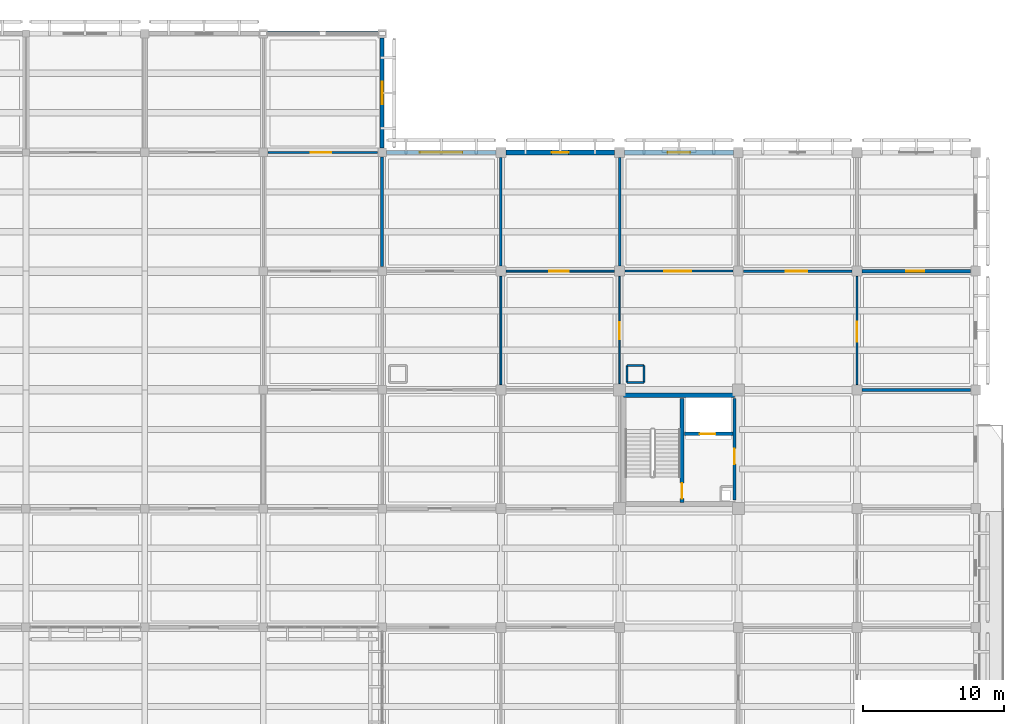
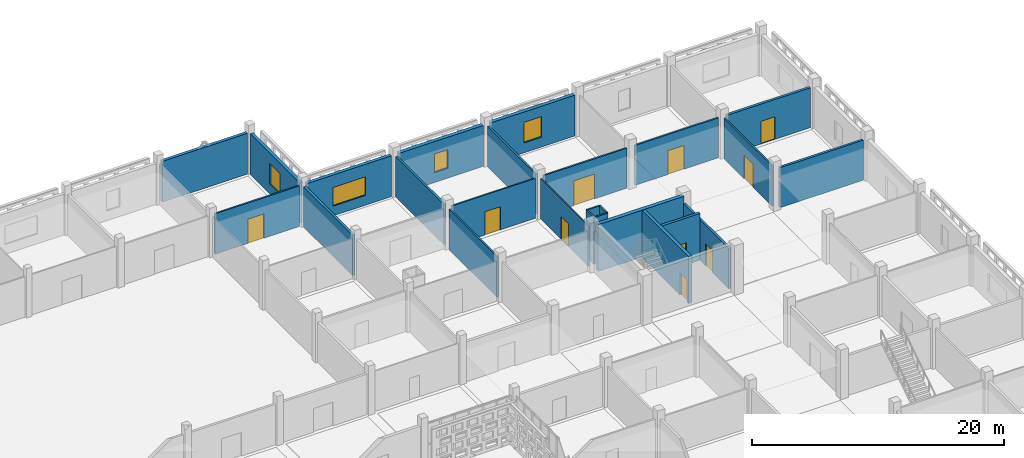
# One storey, part 73 of 129: 25 walls, 10 doors, 4 windows, 14 openings.
"""IFC4 building model written with IfcOpenShell, lengths in metres."""

from ifc_helpers import new_model, si_unit, direction, frame, frame_2d, origin, place, context, subcontext, project, spatial, rectangle, extrude, material, layer, layer_set, type_object, element, fill, save


model = new_model("IFC4")

# Units and contexts
model_context = context("Model", 3, precision=1e-05, world=origin(), true_north=direction((0.0, 1.0)))
body_context = subcontext(model_context, "Body", "Model", "MODEL_VIEW")
ifc_project = project(units=[si_unit("LENGTHUNIT", "METRE"), si_unit("AREAUNIT", "SQUARE_METRE"), si_unit("VOLUMEUNIT", "CUBIC_METRE"), si_unit("PLANEANGLEUNIT", "RADIAN"), si_unit("MASSUNIT", "GRAM", prefix="KILO")], contexts=[model_context])

# Site, building, storey
site_placement = place(None, origin())
site = spatial("IfcSite", under=ifc_project, at=site_placement, CompositionType="ELEMENT")
building_placement = place(site_placement, origin())
building = spatial("IfcBuilding", under=site, at=building_placement, Name="Varnapada Polytechnic", CompositionType="ELEMENT")
storey_placement = place(building_placement, origin())
storey = spatial("IfcBuildingStorey", under=building, at=storey_placement, Name="L00", CompositionType="ELEMENT", Elevation=0.0)

# Wall, opening, door
ifc_material_1 = material(Name="Autoclaved Aerated Concrete Block AAC-600", Category="concrete")
ifc_layer_1 = layer(ifc_material_1, 0.199951171875)
ifc_layer_set_1 = layer_set([ifc_layer_1], Name="Autoclaved Aerated Concrete Block AAC-600")
wall_type_1 = type_object("IfcWallType", Name="Interior Wall IW-01", PredefinedType="PARTITIONING", material=ifc_layer_set_1)
wall_1_placement = place(storey_placement, frame((159.340087890625, 100.199951171875, 0.0), z_axis=(0.0, 0.0, 1.0), x_axis=(0.0, -1.0, 0.0)))
wall_1 = element("IfcWall", 1, at=wall_1_placement, inside=storey, type_object=wall_type_1, Name="L00 C5 firefighting lobby east wall", PredefinedType="PARTITIONING", context=body_context, shape_type="SweptSolid", body=[
    extrude(rectangle(XDim=7.199951171875, YDim=0.199951171875, at=frame_2d((3.60009765625, 0.0))), origin(), (0.0, 0.0, 1.0), 3.919921875),
])
opening_1_placement = place(wall_1_placement, frame((3.550048828125, 0.0, 0.0)))
opening_1 = element("IfcOpeningElement", 2, at=opening_1_placement, cuts=wall_1, Name="Opening D-818", PredefinedType="OPENING", context=body_context, shape_type="SweptSolid", body=[
    extrude(rectangle(XDim=1.10009765625, YDim=2.14990234375, at=frame_2d((0.550048828125, 1.074951171875))), frame((0.0, 0.10986328125, 0.0), z_axis=(0.0, -1.0, 0.0), x_axis=(1.0, 0.0, 0.0)), (0.0, 0.0, 1.0), 0.219970703125),
])
ifc_material_2 = material(Name="Galvanized Steel Z275", Category="steel")
door_type_1 = type_object("IfcDoorType", Name="Interior Door ID-01", OperationType="NOTDEFINED", PredefinedType="DOOR", material=ifc_material_2)
door_1_placement = place(opening_1_placement, origin())
door_1 = element("IfcDoor", 3, at=door_1_placement, inside=storey, type_object=door_type_1, Name="L00 C5 lobby fire door D-818", OperationType="SINGLE_SWING_RIGHT", OverallHeight=2.14990234375, OverallWidth=1.10009765625, PredefinedType="DOOR", context=body_context, shape_type="SweptSolid", body=[
    extrude(rectangle(XDim=1.10009765625, YDim=2.14990234375, at=frame_2d((0.550048828125, 1.074951171875))), frame((0.0, 0.02490234375, 0.0), z_axis=(0.0, -1.0, 0.0), x_axis=(1.0, 0.0, 0.0)), (0.0, 0.0, 1.0), 0.050048828125),
])
fill(opening_1, door_1)

# Walls
ifc_layer_2 = layer(ifc_material_1, 0.14990234375)
ifc_layer_set_2 = layer_set([ifc_layer_2], Name="Autoclaved Aerated Concrete Block AAC-600")
wall_type_2 = type_object("IfcWallType", Name="Interior Wall IW-02", PredefinedType="PARTITIONING", material=ifc_layer_set_2)
for number, where, z_axis, x_axis, name in (
    (4, (151.719970703125, 101.320068359375, 0.0), (0.0, 0.0, 1.0), (1.0, 0.0, 0.0), "L00 enclosed service riser wall (19,13) S"),
    (5, (152.919921875, 101.320068359375, 0.0), (0.0, 0.0, 1.0), (0.0, 1.0, 0.0), "L00 enclosed service riser wall (19,13) E"),
    (6, (152.919921875, 102.52001953125, 0.0), (0.0, 0.0, 1.0), (-1.0, 0.0, 0.0), "L00 enclosed service riser wall (19,13) N"),
    (7, (151.719970703125, 102.52001953125, 0.0), (0.0, 0.0, 1.0), (0.0, -1.0, 0.0), "L00 enclosed service riser wall (19,13) W"),
):
    element("IfcWall", number, at=place(storey_placement, frame(where, z_axis=z_axis, x_axis=x_axis)), inside=storey, type_object=wall_type_2, Name=name, PredefinedType="PARTITIONING", context=body_context, shape_type="SweptSolid", body=[
        extrude(rectangle(XDim=1.199951171875, YDim=0.14990234375, at=frame_2d((0.60009765625, 0.0))), origin(), (0.0, 0.0, 1.0), 4.550048828125),
    ])

# Wall, opening, door
wall_2_placement = place(storey_placement, frame((151.570068359375, 109.199951171875, 0.0), z_axis=(0.0, 0.0, 1.0), x_axis=(1.0, 0.0, 0.0)))
wall_2 = element("IfcWall", 8, at=wall_2_placement, inside=storey, type_object=wall_type_2, Name="L00 interior partition IW-L00-18-12-H", PredefinedType="PARTITIONING", context=body_context, shape_type="SweptSolid", body=[
    extrude(rectangle(XDim=7.659912109375, YDim=0.14990234375, at=frame_2d((3.830078125, 0.0))), origin(), (0.0, 0.0, 1.0), 3.8701171875),
])
opening_2_placement = place(wall_2_placement, frame((2.800048828125, 0.0, 0.0)))
opening_2 = element("IfcOpeningElement", 9, at=opening_2_placement, cuts=wall_2, Name="Opening D-930", PredefinedType="OPENING", context=body_context, shape_type="SweptSolid", body=[
    extrude(rectangle(XDim=1.89990234375, YDim=2.39990234375, at=frame_2d((0.949951171875, 1.199951171875))), frame((0.0, 0.0849609375, 0.0), z_axis=(0.0, -1.0, 0.0), x_axis=(1.0, 0.0, 0.0)), (0.0, 0.0, 1.0), 0.169921875),
])
ifc_material_3 = material(Name="Heavy Workshop Double Steel Door", Category="steel")
door_type_2 = type_object("IfcDoorType", Name="Interior Door ID-14", OperationType="NOTDEFINED", PredefinedType="DOOR", material=ifc_material_3)
door_2_placement = place(opening_2_placement, origin())
door_2 = element("IfcDoor", 10, at=door_2_placement, inside=storey, type_object=door_type_2, Name="L00 interior room door D-930", OperationType="SINGLE_SWING_LEFT", OverallHeight=2.39990234375, OverallWidth=1.89990234375, PredefinedType="DOOR", context=body_context, shape_type="SweptSolid", body=[
    extrude(rectangle(XDim=1.89990234375, YDim=2.39990234375, at=frame_2d((0.949951171875, 1.199951171875))), frame((0.0, 0.02490234375, 0.0), z_axis=(0.0, -1.0, 0.0), x_axis=(1.0, 0.0, 0.0)), (0.0, 0.0, 1.0), 0.050048828125),
])
fill(opening_2, door_2)

# Wall
ifc_material_4 = material(Name="Moisture-Resistant Cement Board Partition")
ifc_layer_3 = layer(ifc_material_4, 0.139892578125)
ifc_layer_set_3 = layer_set([ifc_layer_3], Name="Moisture-Resistant Cement Board Partition")
wall_type_3 = type_object("IfcWallType", Name="Interior Wall IW-04", PredefinedType="PARTITIONING", material=ifc_layer_set_3)
wall_3_placement = place(storey_placement, frame((142.800048828125, 101.169921875, 0.0), z_axis=(0.0, 0.0, 1.0), x_axis=(0.0, 1.0, 0.0)))
element("IfcWall", 11, at=wall_3_placement, inside=storey, type_object=wall_type_3, Name="L00 interior partition IW-L00-16-12-V", PredefinedType="PARTITIONING", context=body_context, shape_type="SweptSolid", body=[
    extrude(rectangle(XDim=7.66015625, YDim=0.139892578125, at=frame_2d((3.830078125, 0.0))), origin(), (0.0, 0.0, 1.0), 3.919921875),
])

# Wall, opening, door
wall_4_placement = place(storey_placement, frame((168.0, 101.169921875, 0.0), z_axis=(0.0, 0.0, 1.0), x_axis=(0.0, 1.0, 0.0)))
wall_4 = element("IfcWall", 12, at=wall_4_placement, inside=storey, type_object=wall_type_3, Name="L00 interior partition IW-L00-19-12-V", PredefinedType="PARTITIONING", context=body_context, shape_type="SweptSolid", body=[
    extrude(rectangle(XDim=7.66015625, YDim=0.139892578125, at=frame_2d((3.830078125, 0.0))), origin(), (0.0, 0.0, 1.0), 3.919921875),
])
opening_3_placement = place(wall_4_placement, frame((3.050048828125, 0.0, 0.0)))
opening_3 = element("IfcOpeningElement", 13, at=opening_3_placement, cuts=wall_4, Name="Opening D-939", PredefinedType="OPENING", context=body_context, shape_type="SweptSolid", body=[
    extrude(rectangle(XDim=1.39990234375, YDim=2.25, at=frame_2d((0.699951171875, 1.125))), frame((0.0, 0.079833984375, 0.0), z_axis=(0.0, -1.0, 0.0), x_axis=(1.0, 0.0, 0.0)), (0.0, 0.0, 1.0), 0.159912109375),
])
ifc_material_5 = material(Name="Powder-Coated Aluminium 6063-T6", Category="aluminium")
door_type_3 = type_object("IfcDoorType", Name="Interior Door ID-06", OperationType="NOTDEFINED", PredefinedType="DOOR", material=ifc_material_5)
door_3_placement = place(opening_3_placement, origin())
door_3 = element("IfcDoor", 14, at=door_3_placement, inside=storey, type_object=door_type_3, Name="L00 interior room door D-939", OperationType="SINGLE_SWING_RIGHT", OverallHeight=2.25, OverallWidth=1.39990234375, PredefinedType="DOOR", context=body_context, shape_type="SweptSolid", body=[
    extrude(rectangle(XDim=1.39990234375, YDim=2.25, at=frame_2d((0.699951171875, 1.125))), frame((0.0, 0.02490234375, 0.0), z_axis=(0.0, -1.0, 0.0), x_axis=(1.0, 0.0, 0.0)), (0.0, 0.0, 1.0), 0.050048828125),
])
fill(opening_3, door_3)

ifc_material_6 = material(Name="Cross-laminated timber CLT C24", Category="wood")
ifc_layer_4 = layer(ifc_material_6, 0.159912109375)
ifc_layer_set_4 = layer_set([ifc_layer_4], Name="Cross-laminated timber CLT C24")
wall_type_4 = type_object("IfcWallType", Name="Interior Wall IW-05", PredefinedType="PARTITIONING", material=ifc_layer_set_4)
wall_5_placement = place(storey_placement, frame((159.969970703125, 109.199951171875, 0.0), z_axis=(0.0, 0.0, 1.0), x_axis=(1.0, 0.0, 0.0)))
wall_5 = element("IfcWall", 15, at=wall_5_placement, inside=storey, type_object=wall_type_4, Name="L00 interior partition IW-L00-19-12-H", PredefinedType="PARTITIONING", context=body_context, shape_type="SweptSolid", body=[
    extrude(rectangle(XDim=7.659912109375, YDim=0.159912109375, at=frame_2d((3.830078125, 0.0))), origin(), (0.0, 0.0, 1.0), 3.8701171875),
])
opening_4_placement = place(wall_5_placement, frame((3.0, 0.0, 0.0)))
opening_4 = element("IfcOpeningElement", 16, at=opening_4_placement, cuts=wall_5, Name="Opening D-940", PredefinedType="OPENING", context=body_context, shape_type="SweptSolid", body=[
    extrude(rectangle(XDim=1.5, YDim=2.300048828125, at=frame_2d((0.75, 1.14990234375))), frame((0.0, 0.08984375, 0.0), z_axis=(0.0, -1.0, 0.0), x_axis=(1.0, 0.0, 0.0)), (0.0, 0.0, 1.0), 0.179931640625),
])
door_type_4 = type_object("IfcDoorType", Name="Interior Door ID-07", OperationType="NOTDEFINED", PredefinedType="DOOR", material=ifc_material_2)
door_4_placement = place(opening_4_placement, origin())
door_4 = element("IfcDoor", 17, at=door_4_placement, inside=storey, type_object=door_type_4, Name="L00 interior room door D-940", OperationType="SINGLE_SWING_LEFT", OverallHeight=2.300048828125, OverallWidth=1.5, PredefinedType="DOOR", context=body_context, shape_type="SweptSolid", body=[
    extrude(rectangle(XDim=1.5, YDim=2.300048828125, at=frame_2d((0.75, 1.14990234375))), frame((0.0, 0.02490234375, 0.0), z_axis=(0.0, -1.0, 0.0), x_axis=(1.0, 0.0, 0.0)), (0.0, 0.0, 1.0), 0.050048828125),
])
fill(opening_4, door_4)

# Wall
ifc_material_7 = material(Name="Acoustic Double-Stud Studio Partition")
ifc_layer_5 = layer(ifc_material_7, 0.179931640625)
ifc_layer_set_5 = layer_set([ifc_layer_5], Name="Acoustic Double-Stud Studio Partition")
wall_type_5 = type_object("IfcWallType", Name="Interior Wall IW-06", PredefinedType="PARTITIONING", material=ifc_layer_set_5)
wall_6_placement = place(storey_placement, frame((142.800048828125, 109.570068359375, 0.0), z_axis=(0.0, 0.0, 1.0), x_axis=(0.0, 1.0, 0.0)))
element("IfcWall", 18, at=wall_6_placement, inside=storey, type_object=wall_type_5, Name="L00 interior partition IW-L00-16-13-V", PredefinedType="PARTITIONING", context=body_context, shape_type="SweptSolid", body=[
    extrude(rectangle(XDim=7.659912109375, YDim=0.179931640625, at=frame_2d((3.830078125, 0.0))), origin(), (0.0, 0.0, 1.0), 3.919921875),
])

# Wall, opening, door
ifc_material_8 = material(Name="Operable Acoustic Seminar Partition")
ifc_layer_6 = layer(ifc_material_8, 0.10009765625)
ifc_layer_set_6 = layer_set([ifc_layer_6], Name="Operable Acoustic Seminar Partition")
wall_type_6 = type_object("IfcWallType", Name="Interior Wall IW-08", PredefinedType="MOVABLE", material=ifc_layer_set_6)
wall_7_placement = place(storey_placement, frame((151.199951171875, 101.2451171875, 0.0), z_axis=(0.0, 0.0, 1.0), x_axis=(0.0, 1.0, 0.0)))
wall_7 = element("IfcWall", 19, at=wall_7_placement, inside=storey, type_object=wall_type_6, Name="L00 interior partition IW-L00-17-12-V", PredefinedType="MOVABLE", context=body_context, shape_type="SweptSolid", body=[
    extrude(rectangle(XDim=7.5849609375, YDim=0.10009765625, at=frame_2d((3.79248046875, 0.0))), origin(), (0.0, 0.0, 1.0), 3.919921875),
])
opening_5_placement = place(wall_7_placement, frame((3.14990234375, 0.0, 0.0)))
opening_5 = element("IfcOpeningElement", 20, at=opening_5_placement, cuts=wall_7, Name="Opening D-921", PredefinedType="OPENING", context=body_context, shape_type="SweptSolid", body=[
    extrude(rectangle(XDim=1.199951171875, YDim=2.199951171875, at=frame_2d((0.60009765625, 1.10009765625))), frame((0.0, 0.06005859375, 0.0), z_axis=(0.0, -1.0, 0.0), x_axis=(1.0, 0.0, 0.0)), (0.0, 0.0, 1.0), 0.1201171875),
])
ifc_material_9 = material(Name="Solid Teak Hardwood Timber", Category="wood")
door_type_5 = type_object("IfcDoorType", Name="Interior Door ID-05", OperationType="NOTDEFINED", PredefinedType="DOOR", material=ifc_material_9)
door_5_placement = place(opening_5_placement, origin())
door_5 = element("IfcDoor", 21, at=door_5_placement, inside=storey, type_object=door_type_5, Name="L00 interior room door D-921", OperationType="SINGLE_SWING_RIGHT", OverallHeight=2.199951171875, OverallWidth=1.199951171875, PredefinedType="DOOR", context=body_context, shape_type="SweptSolid", body=[
    extrude(rectangle(XDim=1.199951171875, YDim=2.199951171875, at=frame_2d((0.60009765625, 1.10009765625))), frame((0.0, 0.02490234375, 0.0), z_axis=(0.0, -1.0, 0.0), x_axis=(1.0, 0.0, 0.0)), (0.0, 0.0, 1.0), 0.050048828125),
])
fill(opening_5, door_5)

ifc_material_10 = material(Name="Calcium Silicate Acoustic Lab Partition")
ifc_layer_7 = layer(ifc_material_10, 0.135009765625)
ifc_layer_set_7 = layer_set([ifc_layer_7], Name="Calcium Silicate Acoustic Lab Partition")
wall_type_7 = type_object("IfcWallType", Name="Interior Wall IW-09", PredefinedType="PARTITIONING", material=ifc_layer_set_7)
wall_8_placement = place(storey_placement, frame((143.169921875, 109.199951171875, 0.0), z_axis=(0.0, 0.0, 1.0), x_axis=(1.0, 0.0, 0.0)))
wall_8 = element("IfcWall", 22, at=wall_8_placement, inside=storey, type_object=wall_type_7, Name="L00 interior partition IW-L00-17-12-H", PredefinedType="PARTITIONING", context=body_context, shape_type="SweptSolid", body=[
    extrude(rectangle(XDim=7.66015625, YDim=0.135009765625, at=frame_2d((3.830078125, 0.0))), origin(), (0.0, 0.0, 1.0), 3.8701171875),
])
opening_6_placement = place(wall_8_placement, frame((3.050048828125, 0.0, 0.0)))
opening_6 = element("IfcOpeningElement", 23, at=opening_6_placement, cuts=wall_8, Name="Opening D-922", PredefinedType="OPENING", context=body_context, shape_type="SweptSolid", body=[
    extrude(rectangle(XDim=1.39990234375, YDim=2.25, at=frame_2d((0.699951171875, 1.125))), frame((0.0, 0.077392578125, 0.0), z_axis=(0.0, -1.0, 0.0), x_axis=(1.0, 0.0, 0.0)), (0.0, 0.0, 1.0), 0.155029296875),
])
door_6_placement = place(opening_6_placement, origin())
door_6 = element("IfcDoor", 24, at=door_6_placement, inside=storey, type_object=door_type_3, Name="L00 interior room door D-922", OperationType="SINGLE_SWING_LEFT", OverallHeight=2.25, OverallWidth=1.39990234375, PredefinedType="DOOR", context=body_context, shape_type="SweptSolid", body=[
    extrude(rectangle(XDim=1.39990234375, YDim=2.25, at=frame_2d((0.699951171875, 1.125))), frame((0.0, 0.02490234375, 0.0), z_axis=(0.0, -1.0, 0.0), x_axis=(1.0, 0.0, 0.0)), (0.0, 0.0, 1.0), 0.050048828125),
])
fill(opening_6, door_6)

# Walls
ifc_material_11 = material(Name="Double-Layer Fireboard Workshop Wall")
ifc_layer_8 = layer(ifc_material_11, 0.169921875)
ifc_layer_set_8 = layer_set([ifc_layer_8], Name="Double-Layer Fireboard Workshop Wall")
wall_type_8 = type_object("IfcWallType", Name="Interior Wall IW-10", PredefinedType="PARTITIONING", material=ifc_layer_set_8)
wall_9_placement = place(storey_placement, frame((151.199951171875, 109.570068359375, 0.0), z_axis=(0.0, 0.0, 1.0), x_axis=(0.0, 1.0, 0.0)))
element("IfcWall", 25, at=wall_9_placement, inside=storey, type_object=wall_type_8, Name="L00 interior partition IW-L00-17-13-V", PredefinedType="PARTITIONING", context=body_context, shape_type="SweptSolid", body=[
    extrude(rectangle(XDim=7.659912109375, YDim=0.169921875, at=frame_2d((3.830078125, 0.0))), origin(), (0.0, 0.0, 1.0), 3.919921875),
])
ifc_material_12 = material(Name="Heavy Acoustic Auditorium Baffle Wall")
ifc_layer_9 = layer(ifc_material_12, 0.219970703125)
ifc_layer_set_9 = layer_set([ifc_layer_9], Name="Heavy Acoustic Auditorium Baffle Wall")
wall_type_9 = type_object("IfcWallType", Name="Interior Wall IW-13", PredefinedType="PARTITIONING", material=ifc_layer_set_9)
wall_10_placement = place(storey_placement, frame((134.39990234375, 109.52001953125, 0.0), z_axis=(0.0, 0.0, 1.0), x_axis=(0.0, 1.0, 0.0)))
element("IfcWall", 26, at=wall_10_placement, inside=storey, type_object=wall_type_9, Name="L00 interior partition IW-L00-15-13-V", PredefinedType="PARTITIONING", context=body_context, shape_type="SweptSolid", body=[
    extrude(rectangle(XDim=7.760009765625, YDim=0.219970703125, at=frame_2d((3.8798828125, 0.0))), origin(), (0.0, 0.0, 1.0), 3.919921875),
])

# Wall, opening, door
ifc_material_13 = material(Name="Ceramic-Tiled Wet Laboratory Wall")
ifc_layer_10 = layer(ifc_material_13, 0.14501953125)
ifc_layer_set_10 = layer_set([ifc_layer_10], Name="Ceramic-Tiled Wet Laboratory Wall")
wall_type_10 = type_object("IfcWallType", Name="Interior Wall IW-14", PredefinedType="PARTITIONING", material=ifc_layer_set_10)
wall_11_placement = place(storey_placement, frame((126.320068359375, 117.60009765625, 0.0), z_axis=(0.0, 0.0, 1.0), x_axis=(1.0, 0.0, 0.0)))
wall_11 = element("IfcWall", 27, at=wall_11_placement, inside=storey, type_object=wall_type_10, Name="L00 interior partition IW-L00-15-13-H", PredefinedType="PARTITIONING", context=body_context, shape_type="SweptSolid", body=[
    extrude(rectangle(XDim=7.760009765625, YDim=0.14501953125, at=frame_2d((3.8798828125, 0.0))), origin(), (0.0, 0.0, 1.0), 3.919921875),
])
opening_7_placement = place(wall_11_placement, frame((3.02490234375, 0.0, 0.0)))
opening_7 = element("IfcOpeningElement", 28, at=opening_7_placement, cuts=wall_11, Name="Opening D-900", PredefinedType="OPENING", context=body_context, shape_type="SweptSolid", body=[
    extrude(rectangle(XDim=1.449951171875, YDim=2.35009765625, at=frame_2d((0.72509765625, 1.175048828125))), frame((0.0, 0.08251953125, 0.0), z_axis=(0.0, -1.0, 0.0), x_axis=(1.0, 0.0, 0.0)), (0.0, 0.0, 1.0), 0.1650390625),
])
door_type_6 = type_object("IfcDoorType", Name="Interior Door ID-18", OperationType="NOTDEFINED", PredefinedType="DOOR", material=ifc_material_2)
door_7_placement = place(opening_7_placement, origin())
door_7 = element("IfcDoor", 29, at=door_7_placement, inside=storey, type_object=door_type_6, Name="L00 interior room door D-900", OperationType="SINGLE_SWING_LEFT", OverallHeight=2.35009765625, OverallWidth=1.449951171875, PredefinedType="DOOR", context=body_context, shape_type="SweptSolid", body=[
    extrude(rectangle(XDim=1.449951171875, YDim=2.35009765625, at=frame_2d((0.72509765625, 1.175048828125))), frame((0.0, 0.02490234375, 0.0), z_axis=(0.0, -1.0, 0.0), x_axis=(1.0, 0.0, 0.0)), (0.0, 0.0, 1.0), 0.050048828125),
])
fill(opening_7, door_7)

# Wall
ifc_material_14 = material(Name="Heavy Masonry Workshop Partition", Category="masonry")
ifc_layer_11 = layer(ifc_material_14, 0.2099609375)
ifc_layer_set_11 = layer_set([ifc_layer_11], Name="Heavy Masonry Workshop Partition")
wall_type_11 = type_object("IfcWallType", Name="Interior Wall IW-16", PredefinedType="PARTITIONING", material=ifc_layer_set_11)
wall_12_placement = place(storey_placement, frame((168.3701171875, 100.800048828125, 0.0), z_axis=(0.0, 0.0, 1.0), x_axis=(1.0, 0.0, 0.0)))
element("IfcWall", 30, at=wall_12_placement, inside=storey, type_object=wall_type_11, Name="L00 interior partition IW-L00-20-11-H", PredefinedType="PARTITIONING", context=body_context, shape_type="SweptSolid", body=[
    extrude(rectangle(XDim=7.659912109375, YDim=0.2099609375, at=frame_2d((3.830078125, 0.0))), origin(), (0.0, 0.0, 1.0), 3.8701171875),
])

# Wall, opening, door
ifc_material_15 = material(Name="Double-Leaf Acoustic Lecture Wall")
ifc_layer_12 = layer(ifc_material_15, 0.235107421875)
ifc_layer_set_12 = layer_set([ifc_layer_12], Name="Double-Leaf Acoustic Lecture Wall")
wall_type_12 = type_object("IfcWallType", Name="Interior Wall IW-17", PredefinedType="PARTITIONING", material=ifc_layer_set_12)
wall_13_placement = place(storey_placement, frame((168.3701171875, 109.199951171875, 0.0), z_axis=(0.0, 0.0, 1.0), x_axis=(1.0, 0.0, 0.0)))
wall_13 = element("IfcWall", 31, at=wall_13_placement, inside=storey, type_object=wall_type_12, Name="L00 interior partition IW-L00-20-12-H", PredefinedType="PARTITIONING", context=body_context, shape_type="SweptSolid", body=[
    extrude(rectangle(XDim=7.659912109375, YDim=0.235107421875, at=frame_2d((3.830078125, 0.0))), origin(), (0.0, 0.0, 1.0), 3.8701171875),
])
opening_8_placement = place(wall_13_placement, frame((3.10009765625, 0.0, 0.0)))
opening_8 = element("IfcOpeningElement", 32, at=opening_8_placement, cuts=wall_13, Name="Opening D-944", PredefinedType="OPENING", context=body_context, shape_type="SweptSolid", body=[
    extrude(rectangle(XDim=1.300048828125, YDim=2.199951171875, at=frame_2d((0.64990234375, 1.10009765625))), frame((0.0, 0.12744140625, 0.0), z_axis=(0.0, -1.0, 0.0), x_axis=(1.0, 0.0, 0.0)), (0.0, 0.0, 1.0), 0.255126953125),
])
ifc_material_16 = material(Name="Acoustic Laminated Timber Leaf", Category="wood")
door_type_7 = type_object("IfcDoorType", Name="Interior Door ID-11", OperationType="NOTDEFINED", PredefinedType="DOOR", material=ifc_material_16)
door_8_placement = place(opening_8_placement, frame((1.300048828125, 0.0, 0.0), z_axis=(0.0, 0.0, 1.0), x_axis=(-1.0, 0.0, 0.0)))
door_8 = element("IfcDoor", 33, at=door_8_placement, inside=storey, type_object=door_type_7, Name="L00 interior room door D-944", OperationType="SINGLE_SWING_LEFT", OverallHeight=2.199951171875, OverallWidth=1.300048828125, PredefinedType="DOOR", context=body_context, shape_type="SweptSolid", body=[
    extrude(rectangle(XDim=1.300048828125, YDim=2.199951171875, at=frame_2d((0.64990234375, 1.10009765625))), frame((0.0, 0.02490234375, 0.0), z_axis=(0.0, -1.0, 0.0), x_axis=(1.0, 0.0, 0.0)), (0.0, 0.0, 1.0), 0.050048828125),
])
fill(opening_8, door_8)

# Wall
ifc_material_17 = material(Name="Concrete C40/50", Category="concrete")
ifc_layer_13 = layer(ifc_material_17, 0.35009765625)
ifc_layer_set_13 = layer_set([ifc_layer_13], Name="Concrete C40/50")
wall_type_13 = type_object("IfcWallType", Name="Interior Wall SW-01", PredefinedType="SHEAR", material=ifc_layer_set_13)
wall_14_placement = place(storey_placement, frame((151.465087890625, 100.419921875, 0.0), z_axis=(0.0, 0.0, 1.0), x_axis=(1.0, 0.0, 0.0)))
element("IfcWall", 34, at=wall_14_placement, inside=storey, type_object=wall_type_13, Name="L00 C5 core north shear wall", PredefinedType="SHEAR", context=body_context, shape_type="SweptSolid", body=[
    extrude(rectangle(XDim=7.875, YDim=0.35009765625, at=frame_2d((3.9375, 0.0))), origin(), (0.0, 0.0, 1.0), 4.550048828125),
])

# Wall, opening, door
ifc_layer_14 = layer(ifc_material_17, 0.300048828125)
ifc_layer_set_14 = layer_set([ifc_layer_14], Name="Concrete C40/50")
wall_type_14 = type_object("IfcWallType", Name="Interior Wall SW-02", PredefinedType="SHEAR", material=ifc_layer_set_14)
wall_15_placement = place(storey_placement, frame((155.610107421875, 92.820068359375, 0.0), z_axis=(0.0, 0.0, 1.0), x_axis=(0.0, 1.0, 0.0)))
wall_15 = element("IfcWall", 35, at=wall_15_placement, inside=storey, type_object=wall_type_14, Name="L00 C5 stair-lobby dividing shear wall", PredefinedType="SHEAR", context=body_context, shape_type="SweptSolid", body=[
    extrude(rectangle(XDim=7.3798828125, YDim=0.300048828125, at=frame_2d((3.68994140625, 0.0))), origin(), (0.0, 0.0, 1.0), 4.550048828125),
])
opening_9_placement = place(wall_15_placement, frame((0.280029296875, 0.0, 0.0)))
opening_9 = element("IfcOpeningElement", 36, at=opening_9_placement, cuts=wall_15, Name="Opening D-819", PredefinedType="OPENING", context=body_context, shape_type="SweptSolid", body=[
    extrude(rectangle(XDim=1.10009765625, YDim=2.14990234375, at=frame_2d((0.550048828125, 1.074951171875))), frame((0.0, 0.159912109375, 0.0), z_axis=(0.0, -1.0, 0.0), x_axis=(1.0, 0.0, 0.0)), (0.0, 0.0, 1.0), 0.320068359375),
])
door_9_placement = place(opening_9_placement, frame((1.10009765625, 0.0, 0.0), z_axis=(0.0, 0.0, 1.0), x_axis=(-1.0, 0.0, 0.0)))
door_9 = element("IfcDoor", 37, at=door_9_placement, inside=storey, type_object=door_type_1, Name="L00 C5 exit stair door D-819", OperationType="SINGLE_SWING_RIGHT", OverallHeight=2.14990234375, OverallWidth=1.10009765625, PredefinedType="DOOR", context=body_context, shape_type="SweptSolid", body=[
    extrude(rectangle(XDim=1.10009765625, YDim=2.14990234375, at=frame_2d((0.550048828125, 1.074951171875))), frame((0.0, 0.02490234375, 0.0), z_axis=(0.0, -1.0, 0.0), x_axis=(1.0, 0.0, 0.0)), (0.0, 0.0, 1.0), 0.050048828125),
])
fill(opening_9, door_9)

ifc_layer_15 = layer(ifc_material_17, 0.25)
ifc_layer_set_15 = layer_set([ifc_layer_15], Name="Concrete C40/50")
wall_type_15 = type_object("IfcWallType", Name="Interior Wall SW-05", PredefinedType="SHEAR", material=ifc_layer_set_15)
wall_16_placement = place(storey_placement, frame((155.780029296875, 97.679931640625, 0.0), z_axis=(0.0, 0.0, 1.0), x_axis=(1.0, 0.0, 0.0)))
wall_16 = element("IfcWall", 38, at=wall_16_placement, inside=storey, type_object=wall_type_15, Name="L00 C5 lift shaft front wall", PredefinedType="SHEAR", context=body_context, shape_type="SweptSolid", body=[
    extrude(rectangle(XDim=3.4599609375, YDim=0.25, at=frame_2d((1.72998046875, 0.0))), origin(), (0.0, 0.0, 1.0), 4.550048828125),
])
opening_10_placement = place(wall_16_placement, frame((1.10009765625, 0.0, 0.0)))
opening_10 = element("IfcOpeningElement", 39, at=opening_10_placement, cuts=wall_16, Name="Opening LD-012", PredefinedType="OPENING", context=body_context, shape_type="SweptSolid", body=[
    extrude(rectangle(XDim=1.10009765625, YDim=2.14990234375, at=frame_2d((0.550048828125, 1.074951171875))), frame((0.0, 0.135009765625, 0.0), z_axis=(0.0, -1.0, 0.0), x_axis=(1.0, 0.0, 0.0)), (0.0, 0.0, 1.0), 0.27001953125),
])
ifc_material_18 = material(Name="Brushed Stainless Steel 316", Category="steel")
door_type_8 = type_object("IfcDoorType", Name="Interior Door LD-01", OperationType="NOTDEFINED", PredefinedType="DOOR", material=ifc_material_18)
door_10_placement = place(opening_10_placement, origin())
door_10 = element("IfcDoor", 40, at=door_10_placement, inside=storey, type_object=door_type_8, Name="L00 LFT-05 sliding lift landing door LD-012", OperationType="DOUBLE_DOOR_SLIDING", OverallHeight=2.14990234375, OverallWidth=1.10009765625, PredefinedType="DOOR", context=body_context, shape_type="SweptSolid", body=[
    extrude(rectangle(XDim=1.10009765625, YDim=2.14990234375, at=frame_2d((0.550048828125, 1.074951171875))), frame((0.0, 0.02490234375, 0.0), z_axis=(0.0, -1.0, 0.0), x_axis=(1.0, 0.0, 0.0)), (0.0, 0.0, 1.0), 0.050048828125),
])
fill(opening_10, door_10)

# Wall, opening, window
ifc_material_19 = material(Name="Precast concrete C40/50", Category="concrete")
ifc_layer_16 = layer(ifc_material_19, 0.300048828125)
ifc_layer_set_16 = layer_set([ifc_layer_16], Name="Precast concrete C40/50")
wall_type_16 = type_object("IfcWallType", Name="Wall EW-01", PredefinedType="SOLIDWALL", material=ifc_layer_set_16)
wall_17_placement = place(storey_placement, frame((134.699951171875, 117.60009765625, 0.0), z_axis=(0.0, 0.0, 1.0), x_axis=(1.0, 0.0, 0.0)))
wall_17 = element("IfcWall", 41, at=wall_17_placement, inside=storey, type_object=wall_type_16, Name="L00 exterior wall EW-01 (90)", PredefinedType="SOLIDWALL", context=body_context, shape_type="SweptSolid", body=[
    extrude(rectangle(XDim=7.75, YDim=0.300048828125, at=frame_2d((3.875, 0.0))), origin(), (0.0, 0.0, 1.0), 3.9599609375),
])
opening_11_placement = place(wall_17_placement, frame((2.375, 0.0, 0.949951171875)))
opening_11 = element("IfcOpeningElement", 42, at=opening_11_placement, cuts=wall_17, Name="Opening WN-14", PredefinedType="OPENING", context=body_context, shape_type="SweptSolid", body=[
    extrude(rectangle(XDim=3.0, YDim=1.800048828125, at=frame_2d((1.5, 0.89990234375))), frame((0.0, 0.159912109375, 0.0), z_axis=(0.0, -1.0, 0.0), x_axis=(1.0, 0.0, 0.0)), (0.0, 0.0, 1.0), 0.320068359375),
])
ifc_material_20 = material(Name="Double low-E laminated glass", Category="glass")
window_type_1 = type_object("IfcWindowType", Name="Window WN-14", PartitioningType="SINGLE_PANEL", PredefinedType="WINDOW", material=ifc_material_20)
window_1_placement = place(opening_11_placement, origin())
window_1 = element("IfcWindow", 43, at=window_1_placement, inside=storey, type_object=window_type_1, Name="L00 window WN-14 (45)", OverallHeight=1.800048828125, OverallWidth=3.0, PartitioningType="SINGLE_PANEL", PredefinedType="WINDOW", context=body_context, shape_type="SweptSolid", body=[
    extrude(rectangle(XDim=3.0, YDim=1.800048828125, at=frame_2d((1.5, 0.89990234375))), frame((0.0, 0.030029296875, 0.0), z_axis=(0.0, -1.0, 0.0), x_axis=(1.0, 0.0, 0.0)), (0.0, 0.0, 1.0), 0.06005859375),
])
fill(opening_11, window_1)

# Wall
ifc_layer_17 = layer(ifc_material_19, 0.280029296875)
ifc_layer_set_17 = layer_set([ifc_layer_17], Name="Precast concrete C40/50")
wall_type_17 = type_object("IfcWallType", Name="Wall EW-02", PredefinedType="SOLIDWALL", material=ifc_layer_set_17)
wall_18_placement = place(storey_placement, frame((126.300048828125, 126.0, 0.0), z_axis=(0.0, 0.0, 1.0), x_axis=(1.0, 0.0, 0.0)))
element("IfcWall", 44, at=wall_18_placement, inside=storey, type_object=wall_type_17, Name="L00 exterior wall EW-02 (79)", PredefinedType="SOLIDWALL", context=body_context, shape_type="SweptSolid", body=[
    extrude(rectangle(XDim=7.800048828125, YDim=0.280029296875, at=frame_2d((3.89990234375, 0.0))), origin(), (0.0, 0.0, 1.0), 3.9599609375),
])

# Wall, opening, window
wall_19_placement = place(storey_placement, frame((134.39990234375, 125.699951171875, 0.0), z_axis=(0.0, 0.0, 1.0), x_axis=(0.0, -1.0, 0.0)))
wall_19 = element("IfcWall", 45, at=wall_19_placement, inside=storey, type_object=wall_type_17, Name="L00 exterior wall EW-02 (80)", PredefinedType="SOLIDWALL", context=body_context, shape_type="SweptSolid", body=[
    extrude(rectangle(XDim=7.800048828125, YDim=0.280029296875, at=frame_2d((3.89990234375, 0.0))), origin(), (0.0, 0.0, 1.0), 3.9599609375),
])
opening_12_placement = place(wall_19_placement, frame((3.10009765625, 0.0, 0.949951171875)))
opening_12 = element("IfcOpeningElement", 46, at=opening_12_placement, cuts=wall_19, Name="Opening WN-08", PredefinedType="OPENING", context=body_context, shape_type="SweptSolid", body=[
    extrude(rectangle(XDim=1.60009765625, YDim=2.0, at=frame_2d((0.800048828125, 1.0))), frame((0.0, 0.14990234375, 0.0), z_axis=(0.0, -1.0, 0.0), x_axis=(1.0, 0.0, 0.0)), (0.0, 0.0, 1.0), 0.300048828125),
])
window_type_2 = type_object("IfcWindowType", Name="Window WN-08", PartitioningType="SINGLE_PANEL", PredefinedType="WINDOW", material=ifc_material_20)
window_2_placement = place(opening_12_placement, origin())
window_2 = element("IfcWindow", 47, at=window_2_placement, inside=storey, type_object=window_type_2, Name="L00 window WN-08 (39)", OverallHeight=2.0, OverallWidth=1.60009765625, PartitioningType="SINGLE_PANEL", PredefinedType="WINDOW", context=body_context, shape_type="SweptSolid", body=[
    extrude(rectangle(XDim=1.60009765625, YDim=2.0, at=frame_2d((0.800048828125, 1.0))), frame((0.0, 0.030029296875, 0.0), z_axis=(0.0, -1.0, 0.0), x_axis=(1.0, 0.0, 0.0)), (0.0, 0.0, 1.0), 0.06005859375),
])
fill(opening_12, window_2)

ifc_layer_18 = layer(ifc_material_19, 0.340087890625)
ifc_layer_set_18 = layer_set([ifc_layer_18], Name="Precast concrete C40/50")
wall_type_18 = type_object("IfcWallType", Name="Wall EW-07", PredefinedType="SOLIDWALL", material=ifc_layer_set_18)
wall_20_placement = place(storey_placement, frame((143.14990234375, 117.60009765625, 0.0), z_axis=(0.0, 0.0, 1.0), x_axis=(1.0, 0.0, 0.0)))
wall_20 = element("IfcWall", 48, at=wall_20_placement, inside=storey, type_object=wall_type_18, Name="L00 exterior wall EW-07 (92)", PredefinedType="SOLIDWALL", context=body_context, shape_type="SweptSolid", body=[
    extrude(rectangle(XDim=7.7001953125, YDim=0.340087890625, at=frame_2d((3.85009765625, 0.0))), origin(), (0.0, 0.0, 1.0), 3.9599609375),
])
opening_13_placement = place(wall_20_placement, frame((3.25, 0.0, 0.949951171875)))
opening_13 = element("IfcOpeningElement", 49, at=opening_13_placement, cuts=wall_20, Name="Opening WN-01", PredefinedType="OPENING", context=body_context, shape_type="SweptSolid", body=[
    extrude(rectangle(XDim=1.199951171875, YDim=1.800048828125, at=frame_2d((0.60009765625, 0.89990234375))), frame((0.0, 0.179931640625, 0.0), z_axis=(0.0, -1.0, 0.0), x_axis=(1.0, 0.0, 0.0)), (0.0, 0.0, 1.0), 0.360107421875),
])
window_type_3 = type_object("IfcWindowType", Name="Window WN-01", PartitioningType="SINGLE_PANEL", PredefinedType="WINDOW", material=ifc_material_20)
window_3_placement = place(opening_13_placement, origin())
window_3 = element("IfcWindow", 50, at=window_3_placement, inside=storey, type_object=window_type_3, Name="L00 window WN-01 (47)", OverallHeight=1.800048828125, OverallWidth=1.199951171875, PartitioningType="SINGLE_PANEL", PredefinedType="WINDOW", context=body_context, shape_type="SweptSolid", body=[
    extrude(rectangle(XDim=1.199951171875, YDim=1.800048828125, at=frame_2d((0.60009765625, 0.89990234375))), frame((0.0, 0.030029296875, 0.0), z_axis=(0.0, -1.0, 0.0), x_axis=(1.0, 0.0, 0.0)), (0.0, 0.0, 1.0), 0.06005859375),
])
fill(opening_13, window_3)

wall_21_placement = place(storey_placement, frame((151.550048828125, 117.60009765625, 0.0), z_axis=(0.0, 0.0, 1.0), x_axis=(1.0, 0.0, 0.0)))
wall_21 = element("IfcWall", 51, at=wall_21_placement, inside=storey, type_object=wall_type_18, Name="L00 exterior wall EW-07 (94)", PredefinedType="SOLIDWALL", context=body_context, shape_type="SweptSolid", body=[
    extrude(rectangle(XDim=7.699951171875, YDim=0.340087890625, at=frame_2d((3.85009765625, 0.0))), origin(), (0.0, 0.0, 1.0), 3.9599609375),
])
opening_14_placement = place(wall_21_placement, frame((3.050048828125, 0.0, 0.949951171875)))
opening_14 = element("IfcOpeningElement", 52, at=opening_14_placement, cuts=wall_21, Name="Opening WN-08", PredefinedType="OPENING", context=body_context, shape_type="SweptSolid", body=[
    extrude(rectangle(XDim=1.60009765625, YDim=2.0, at=frame_2d((0.800048828125, 1.0))), frame((0.0, 0.179931640625, 0.0), z_axis=(0.0, -1.0, 0.0), x_axis=(1.0, 0.0, 0.0)), (0.0, 0.0, 1.0), 0.360107421875),
])
window_4_placement = place(opening_14_placement, origin())
window_4 = element("IfcWindow", 53, at=window_4_placement, inside=storey, type_object=window_type_2, Name="L00 window WN-08 (48)", OverallHeight=2.0, OverallWidth=1.60009765625, PartitioningType="SINGLE_PANEL", PredefinedType="WINDOW", context=body_context, shape_type="SweptSolid", body=[
    extrude(rectangle(XDim=1.60009765625, YDim=2.0, at=frame_2d((0.800048828125, 1.0))), frame((0.0, 0.030029296875, 0.0), z_axis=(0.0, -1.0, 0.0), x_axis=(1.0, 0.0, 0.0)), (0.0, 0.0, 1.0), 0.06005859375),
])
fill(opening_14, window_4)

save(model, "model.ifc")
